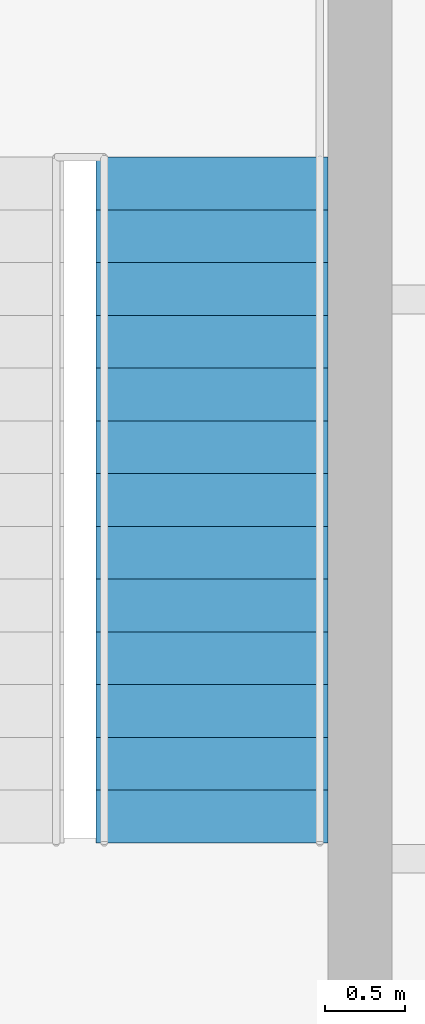
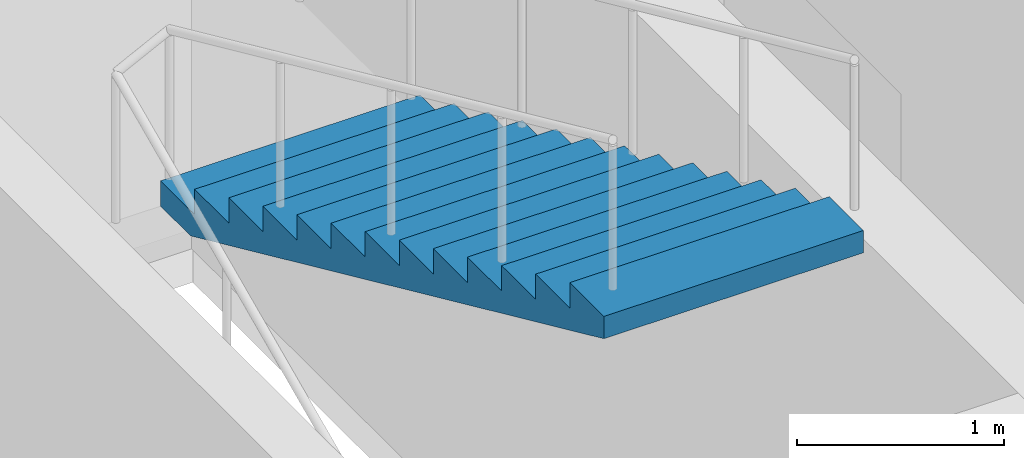
# One storey, part 9 of 10: 1 stair flight, 1 element without a shape of its own.
"""IFC4 building model written with IfcOpenShell, lengths in metres."""

import ifcopenshell
import ifcopenshell.guid

model = None  # the IFC model being written
_history = None  # IfcOwnerHistory: only IFC2X3 demands one
_inside = {}  # id of a spatial element -> (the spatial element, [elements in it])
_under = {}  # id of a project, library or spatial element -> (it, [spatial elements below it])
_declared = {}  # id of a project -> (the project, [libraries it declares])
_typed = {}  # id of a type object -> (the type object, [elements of that type])
_made_of = {}  # id of a material, layer set ... -> (it, [elements and type objects made of it])


def new_model(schema):
    """Start an empty IFC model of exactly this schema.

    Asked for "IFC4X3", IfcOpenShell would pick the latest addendum, in which some entities
    have other attributes; the version numbers below select the first issue.
    IFC2X3 requires an IfcOwnerHistory on every rooted entity: one is made here for all.
    """
    global model, _history
    if schema == "IFC4X3":
        model = ifcopenshell.file(schema_version=(4, 3, 0, 0))
    else:
        model = ifcopenshell.file(schema=schema)
    _inside.clear()
    _under.clear()
    _declared.clear()
    _typed.clear()
    _made_of.clear()
    _history = None
    if model.schema == "IFC2X3":
        org = make("IfcOrganization", Name="unknown")
        user = make(
            "IfcPersonAndOrganization",
            ThePerson=make("IfcPerson", FamilyName="unknown"),
            TheOrganization=org,
        )
        app = make(
            "IfcApplication",
            ApplicationDeveloper=org,
            Version="unknown",
            ApplicationFullName="unknown",
            ApplicationIdentifier="unknown",
        )
        _history = make(
            "IfcOwnerHistory",
            OwningUser=user,
            OwningApplication=app,
            ChangeAction="ADDED",
            CreationDate=0,
        )
    return model


def make(cls, **values):
    """One entity of the class cls with the attributes given. An attribute that is None is left unset."""
    return model.create_entity(
        cls, **{name: value for name, value in values.items() if value is not None}
    )


def rooted(cls, **values):
    """An entity with a GlobalId (a new one), such as an element, a storey or a relation."""
    return make(cls, GlobalId=ifcopenshell.guid.new(), OwnerHistory=_history, **values)


def si_unit(unit_type, name, prefix=None):
    """IfcSIUnit, for example si_unit("LENGTHUNIT", "METRE", prefix="MILLI")."""
    return make("IfcSIUnit", UnitType=unit_type, Prefix=prefix, Name=name)


def assignment(units):
    """IfcUnitAssignment: the units of a project."""
    return None if units is None else make("IfcUnitAssignment", Units=units)


def point(xyz):
    """IfcCartesianPoint."""
    return None if xyz is None else make("IfcCartesianPoint", Coordinates=xyz)


def direction(xyz):
    """IfcDirection."""
    return None if xyz is None else make("IfcDirection", DirectionRatios=xyz)


def frame(location, z_axis=None, x_axis=None):
    """IfcAxis2Placement3D, a coordinate frame: its origin and axes. An axis left out is left unset."""
    return make(
        "IfcAxis2Placement3D",
        Location=point(location),
        Axis=direction(z_axis),
        RefDirection=direction(x_axis),
    )


def origin():
    """The frame at (0, 0, 0) with its axes left unset."""
    return frame((0.0, 0.0, 0.0))


def place(relative_to, where):
    """IfcLocalPlacement: puts the frame where relative to a parent placement (None: the world)."""
    return make(
        "IfcLocalPlacement", PlacementRelTo=relative_to, RelativePlacement=where
    )


def context(
    kind, dimensions, precision=None, world=None, true_north=None, identifier=None
):
    """IfcGeometricRepresentationContext, for example the 3D "Model" context."""
    return make(
        "IfcGeometricRepresentationContext",
        ContextIdentifier=identifier,
        ContextType=kind,
        CoordinateSpaceDimension=dimensions,
        Precision=precision,
        WorldCoordinateSystem=world,
        TrueNorth=true_north,
    )


def subcontext(parent, identifier, kind, view, scale=None):
    """IfcGeometricRepresentationSubContext, for example "Body" below "Model"."""
    return make(
        "IfcGeometricRepresentationSubContext",
        ContextIdentifier=identifier,
        ContextType=kind,
        ParentContext=parent,
        TargetScale=scale,
        TargetView=view,
    )


def project(units=None, contexts=None):
    """IfcProject with its units and contexts."""
    return rooted(
        "IfcProject",
        Name="project",
        RepresentationContexts=contexts,
        UnitsInContext=assignment(units),
    )


def spatial(cls, under=None, at=None, **own):
    """A site, building, storey or space (cls), placed at a placement, below another one or the project."""
    s = rooted(cls, ObjectPlacement=at, **own)
    if under is not None:
        _under.setdefault(under.id(), (under, []))[1].append(s)
    return s


def point_list(points):
    """IfcCartesianPointList2D or 3D."""
    cls = (
        "IfcCartesianPointList2D" if len(points[0]) == 2 else "IfcCartesianPointList3D"
    )
    return make(cls, CoordList=points)


def polygons(points, faces, closed=None, point_numbers=None):
    """IfcPolygonalFaceSet: a face is its outer loop, then its inner loops; points numbered from 1."""
    made = []
    for loops in faces:
        if len(loops) == 1:
            made.append(make("IfcIndexedPolygonalFace", CoordIndex=loops[0]))
        else:
            made.append(
                make(
                    "IfcIndexedPolygonalFaceWithVoids",
                    CoordIndex=loops[0],
                    InnerCoordIndices=loops[1:],
                )
            )
    return make(
        "IfcPolygonalFaceSet",
        Coordinates=point_list(points),
        Closed=closed,
        Faces=made,
        PnIndex=point_numbers,
    )


def shape(context_of_items, identifier, shape_type, items):
    """IfcShapeRepresentation: the items that make up one representation, for example the "Body"."""
    return make(
        "IfcShapeRepresentation",
        ContextOfItems=context_of_items,
        RepresentationIdentifier=identifier,
        RepresentationType=shape_type,
        Items=items,
    )


def material(Name=None, Category=None):
    """IfcMaterial."""
    return make("IfcMaterial", Name=Name, Category=Category)


def made_of(thing, what):
    """Note that an element or type object is made of a material, layer set ...; save() writes the relation."""
    if what is not None:
        _made_of.setdefault(what.id(), (what, []))[1].append(thing)
    return thing


def type_object(cls, material=None, **own):
    """A type object (cls), such as IfcWallType, which elements share."""
    return made_of(rooted(cls, **own), material)


def element(
    cls,
    number,
    at=None,
    inside=None,
    cuts=None,
    type_object=None,
    material=None,
    context=None,
    identifier="Body",
    shape_type=None,
    held_by="IfcProductDefinitionShape",
    body=None,
    shapes=None,
    **own,
):
    """One element of the class cls, such as IfcWall. Its Tag is "e" and its number.

    at: its placement. inside: the storey or other place that contains it. cuts: it is an
    opening in that element (IfcRelVoidsElement). A single representation is given by context,
    identifier, shape_type and body (its items); several are given by shapes. held_by: the class
    of the entity that holds the representations. save() writes the other relations.
    """
    e = rooted(cls, Tag="e%d" % number, ObjectPlacement=at, **own)
    if body is not None:
        shapes = [shape(context, identifier, shape_type, body)]
    if shapes is not None:
        e.Representation = make(held_by, Representations=shapes)
    if inside is not None:
        _inside.setdefault(inside.id(), (inside, []))[1].append(e)
    if cuts is not None:
        rooted(
            "IfcRelVoidsElement", RelatingBuildingElement=cuts, RelatedOpeningElement=e
        )
    if type_object is not None:
        _typed.setdefault(type_object.id(), (type_object, []))[1].append(e)
    return made_of(e, material)


def aggregate(whole, parts):
    """IfcRelAggregates: a whole, such as a stair, and the parts it consists of."""
    return rooted("IfcRelAggregates", RelatingObject=whole, RelatedObjects=parts)


def save(model, path):
    """Write the relations noted so far, then the file.

    IfcRelAggregates (storeys below a building ...), IfcRelContainedInSpatialStructure (elements
    in a storey), IfcRelDefinesByType, IfcRelAssociatesMaterial and IfcRelDeclares: one each for
    every whole, place, type object, material and project.
    """
    for whole, parts in _under.values():
        aggregate(whole, parts)
    for where, things in _inside.values():
        rooted(
            "IfcRelContainedInSpatialStructure",
            RelatedElements=things,
            RelatingStructure=where,
        )
    for kind, things in _typed.values():
        rooted("IfcRelDefinesByType", RelatedObjects=things, RelatingType=kind)
    for what, things in _made_of.values():
        rooted("IfcRelAssociatesMaterial", RelatedObjects=things, RelatingMaterial=what)
    for by, libraries in _declared.values():
        rooted("IfcRelDeclares", RelatingContext=by, RelatedDefinitions=libraries)
    model.write(path)


model = new_model("IFC4")

# Units and contexts
model_context = context("Model", 3, precision=1e-05, world=origin(), true_north=direction((0.0, 1.0)))
body_context = subcontext(model_context, "Body", "Model", "MODEL_VIEW")
ifc_project = project(units=[si_unit("LENGTHUNIT", "METRE"), si_unit("AREAUNIT", "SQUARE_METRE"), si_unit("VOLUMEUNIT", "CUBIC_METRE"), si_unit("PLANEANGLEUNIT", "RADIAN"), si_unit("MASSUNIT", "GRAM", prefix="KILO")], contexts=[model_context])

# Site, building, storey
site_placement = place(None, origin())
site = spatial("IfcSite", under=ifc_project, at=site_placement, CompositionType="ELEMENT")
building_placement = place(site_placement, origin())
building = spatial("IfcBuilding", under=site, at=building_placement, Name="Njiva Tower", CompositionType="ELEMENT")
storey_placement = place(building_placement, frame((0.0, 0.0, 308.4)))
storey = spatial("IfcBuildingStorey", under=building, at=storey_placement, Name="L70", CompositionType="ELEMENT", Elevation=308.4)

# Stair, stair flight
ifc_material = material(Name="Concrete C40/50", Category="concrete")
stair_type = type_object("IfcStairType", Name="ST3 Exit stair 1450", PredefinedType="HALF_TURN_STAIR", material=ifc_material)
stair_placement = place(storey_placement, origin())
stair = element("IfcStair", 1, at=stair_placement, inside=storey, type_object=stair_type, Name="Stair B", PredefinedType="HALF_TURN_STAIR")
stair_flight_type = type_object("IfcStairFlightType", Name="FL3 Stair flight 1450", PredefinedType="STRAIGHT", material=ifc_material)
stair_flight_placement = place(storey_placement, frame((13.375, 15.39, 2.1), z_axis=(0.0, 0.0, 1.0), x_axis=(0.0, -1.0, 0.0)))
stair_flight = element("IfcStairFlight", 2, at=stair_flight_placement, type_object=stair_flight_type, Name="ST-B flight 2", NumberOfRisers=14, NumberOfTreads=13, PredefinedType="STRAIGHT", RiserHeight=0.15, TreadLength=0.33, context=body_context, shape_type="Tessellation", body=[
    polygons([(0.0, 0.725, 0.0), (0.0, 0.3625, 0.0), (0.0, 0.0, 0.0), (0.0, -0.3625, 0.0), (0.0, -0.725, 0.0), (0.0, 0.725, 0.15), (0.0, 0.3625, 0.15), (0.0, 0.0, 0.15), (0.0, -0.3625, 0.15), (0.0, -0.725, 0.15), (0.33, 0.725, 0.15), (0.33, 0.3625, 0.15), (0.33, 0.0, 0.15), (0.33, -0.3625, 0.15), (0.33, -0.725, 0.15), (0.33, 0.725, 0.3), (0.33, 0.3625, 0.3), (0.33, 0.0, 0.3), (0.33, -0.3625, 0.3), (0.33, -0.725, 0.3), (0.66, 0.725, 0.3), (0.66, 0.3625, 0.3), (0.66, 0.0, 0.3), (0.66, -0.3625, 0.3), (0.66, -0.725, 0.3), (0.66, 0.725, 0.45), (0.66, 0.3625, 0.45), (0.66, 0.0, 0.45), (0.66, -0.3625, 0.45), (0.66, -0.725, 0.45), (0.99, 0.725, 0.45), (0.99, 0.3625, 0.45), (0.99, 0.0, 0.45), (0.99, -0.3625, 0.45), (0.99, -0.725, 0.45), (0.99, 0.725, 0.6), (0.99, 0.3625, 0.6), (0.99, 0.0, 0.6), (0.99, -0.3625, 0.6), (0.99, -0.725, 0.6), (1.32, 0.725, 0.6), (1.32, 0.3625, 0.6), (1.32, 0.0, 0.6), (1.32, -0.3625, 0.6), (1.32, -0.725, 0.6), (1.32, 0.725, 0.75), (1.32, 0.3625, 0.75), (1.32, 0.0, 0.75), (1.32, -0.3625, 0.75), (1.32, -0.725, 0.75), (1.65, 0.725, 0.75), (1.65, 0.3625, 0.75), (1.65, 0.0, 0.75), (1.65, -0.3625, 0.75), (1.65, -0.725, 0.75), (1.65, 0.725, 0.9), (1.65, 0.3625, 0.9), (1.65, 0.0, 0.9), (1.65, -0.3625, 0.9), (1.65, -0.725, 0.9), (1.98, 0.725, 0.9), (1.98, 0.3625, 0.9), (1.98, 0.0, 0.9), (1.98, -0.3625, 0.9), (1.98, -0.725, 0.9), (1.98, 0.725, 1.05), (1.98, 0.3625, 1.05), (1.98, 0.0, 1.05), (1.98, -0.3625, 1.05), (1.98, -0.725, 1.05), (2.31, 0.725, 1.05), (2.31, 0.3625, 1.05), (2.31, 0.0, 1.05), (2.31, -0.3625, 1.05), (2.31, -0.725, 1.05), (2.31, 0.725, 1.2), (2.31, 0.3625, 1.2), (2.31, 0.0, 1.2), (2.31, -0.3625, 1.2), (2.31, -0.725, 1.2), (2.64, 0.725, 1.2), (2.64, 0.3625, 1.2), (2.64, 0.0, 1.2), (2.64, -0.3625, 1.2), (2.64, -0.725, 1.2), (2.64, 0.725, 1.35), (2.64, 0.3625, 1.35), (2.64, 0.0, 1.35), (2.64, -0.3625, 1.35), (2.64, -0.725, 1.35), (2.97, 0.725, 1.35), (2.97, 0.3625, 1.35), (2.97, 0.0, 1.35), (2.97, -0.3625, 1.35), (2.97, -0.725, 1.35), (2.97, 0.725, 1.5), (2.97, 0.3625, 1.5), (2.97, 0.0, 1.5), (2.97, -0.3625, 1.5), (2.97, -0.725, 1.5), (3.3, 0.725, 1.5), (3.3, 0.3625, 1.5), (3.3, 0.0, 1.5), (3.3, -0.3625, 1.5), (3.3, -0.725, 1.5), (3.3, 0.725, 1.65), (3.3, 0.3625, 1.65), (3.3, 0.0, 1.65), (3.3, -0.3625, 1.65), (3.3, -0.725, 1.65), (3.63, 0.725, 1.65), (3.63, 0.3625, 1.65), (3.63, 0.0, 1.65), (3.63, -0.3625, 1.65), (3.63, -0.725, 1.65), (3.63, 0.725, 1.8), (3.63, 0.3625, 1.8), (3.63, 0.0, 1.8), (3.63, -0.3625, 1.8), (3.63, -0.725, 1.8), (3.96, 0.725, 1.8), (3.96, 0.3625, 1.8), (3.96, 0.0, 1.8), (3.96, -0.3625, 1.8), (3.96, -0.725, 1.8), (3.96, 0.725, 1.95), (3.96, 0.3625, 1.95), (3.96, 0.0, 1.95), (3.96, -0.3625, 1.95), (3.96, -0.725, 1.95), (4.29, 0.725, 1.95), (4.29, 0.3625, 1.95), (4.29, 0.0, 1.95), (4.29, -0.3625, 1.95), (4.29, -0.725, 1.95), (4.29, 0.725, 1.8182), (4.29, 0.3625, 1.8182), (4.29, 0.0, 1.8182), (4.29, -0.3625, 1.8182), (4.29, -0.725, 1.8182), (0.29, 0.725, 0.0), (0.29, 0.3625, 0.0), (0.29, 0.0, 0.0), (0.29, -0.3625, 0.0), (0.29, -0.725, 0.0)], [[[1, 6, 11, 16, 21, 26, 31, 36, 41, 46, 51, 56, 61, 66, 71, 76, 81, 86, 91, 96, 101, 106, 111, 116, 121, 126, 131, 136, 141]], [[145, 140, 135, 130, 125, 120, 115, 110, 105, 100, 95, 90, 85, 80, 75, 70, 65, 60, 55, 50, 45, 40, 35, 30, 25, 20, 15, 10, 5]], [[6, 1, 2, 7]], [[7, 2, 3, 8]], [[8, 3, 4, 9]], [[9, 4, 5, 10]], [[11, 6, 7, 12]], [[12, 7, 8, 13]], [[13, 8, 9, 14]], [[14, 9, 10, 15]], [[16, 11, 12, 17]], [[17, 12, 13, 18]], [[18, 13, 14, 19]], [[19, 14, 15, 20]], [[21, 16, 17, 22]], [[22, 17, 18, 23]], [[23, 18, 19, 24]], [[24, 19, 20, 25]], [[26, 21, 22, 27]], [[27, 22, 23, 28]], [[28, 23, 24, 29]], [[29, 24, 25, 30]], [[31, 26, 27, 32]], [[32, 27, 28, 33]], [[33, 28, 29, 34]], [[34, 29, 30, 35]], [[36, 31, 32, 37]], [[37, 32, 33, 38]], [[38, 33, 34, 39]], [[39, 34, 35, 40]], [[41, 36, 37, 42]], [[42, 37, 38, 43]], [[43, 38, 39, 44]], [[44, 39, 40, 45]], [[46, 41, 42, 47]], [[47, 42, 43, 48]], [[48, 43, 44, 49]], [[49, 44, 45, 50]], [[51, 46, 47, 52]], [[52, 47, 48, 53]], [[53, 48, 49, 54]], [[54, 49, 50, 55]], [[56, 51, 52, 57]], [[57, 52, 53, 58]], [[58, 53, 54, 59]], [[59, 54, 55, 60]], [[61, 56, 57, 62]], [[62, 57, 58, 63]], [[63, 58, 59, 64]], [[64, 59, 60, 65]], [[66, 61, 62, 67]], [[67, 62, 63, 68]], [[68, 63, 64, 69]], [[69, 64, 65, 70]], [[71, 66, 67, 72]], [[72, 67, 68, 73]], [[73, 68, 69, 74]], [[74, 69, 70, 75]], [[76, 71, 72, 77]], [[77, 72, 73, 78]], [[78, 73, 74, 79]], [[79, 74, 75, 80]], [[81, 76, 77, 82]], [[82, 77, 78, 83]], [[83, 78, 79, 84]], [[84, 79, 80, 85]], [[86, 81, 82, 87]], [[87, 82, 83, 88]], [[88, 83, 84, 89]], [[89, 84, 85, 90]], [[91, 86, 87, 92]], [[92, 87, 88, 93]], [[93, 88, 89, 94]], [[94, 89, 90, 95]], [[96, 91, 92, 97]], [[97, 92, 93, 98]], [[98, 93, 94, 99]], [[99, 94, 95, 100]], [[101, 96, 97, 102]], [[102, 97, 98, 103]], [[103, 98, 99, 104]], [[104, 99, 100, 105]], [[106, 101, 102, 107]], [[107, 102, 103, 108]], [[108, 103, 104, 109]], [[109, 104, 105, 110]], [[111, 106, 107, 112]], [[112, 107, 108, 113]], [[113, 108, 109, 114]], [[114, 109, 110, 115]], [[116, 111, 112, 117]], [[117, 112, 113, 118]], [[118, 113, 114, 119]], [[119, 114, 115, 120]], [[121, 116, 117, 122]], [[122, 117, 118, 123]], [[123, 118, 119, 124]], [[124, 119, 120, 125]], [[126, 121, 122, 127]], [[127, 122, 123, 128]], [[128, 123, 124, 129]], [[129, 124, 125, 130]], [[131, 126, 127, 132]], [[132, 127, 128, 133]], [[133, 128, 129, 134]], [[134, 129, 130, 135]], [[136, 131, 132, 137]], [[137, 132, 133, 138]], [[138, 133, 134, 139]], [[139, 134, 135, 140]], [[141, 136, 137, 142]], [[142, 137, 138, 143]], [[143, 138, 139, 144]], [[144, 139, 140, 145]], [[1, 141, 142, 2]], [[2, 142, 143, 3]], [[3, 143, 144, 4]], [[4, 144, 145, 5]]], closed=True),
])
aggregate(stair, [stair_flight])

save(model, "model.ifc")
